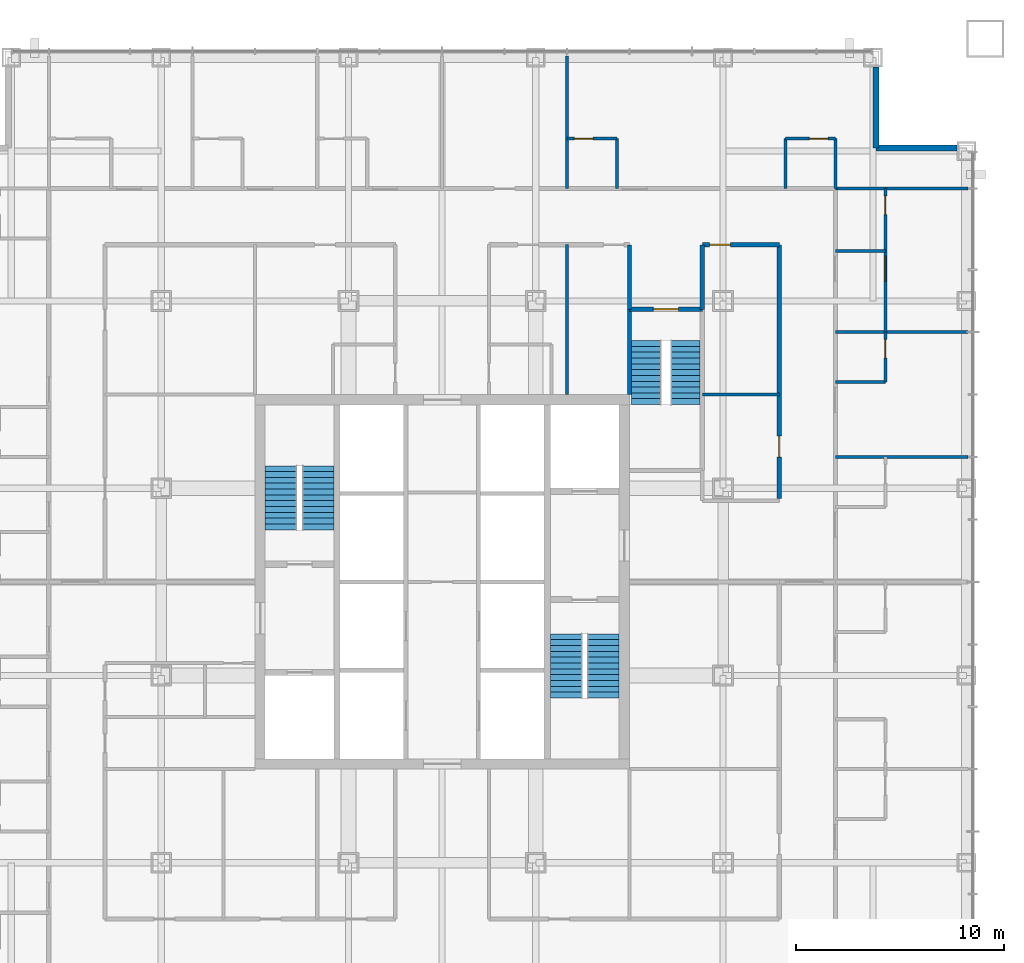
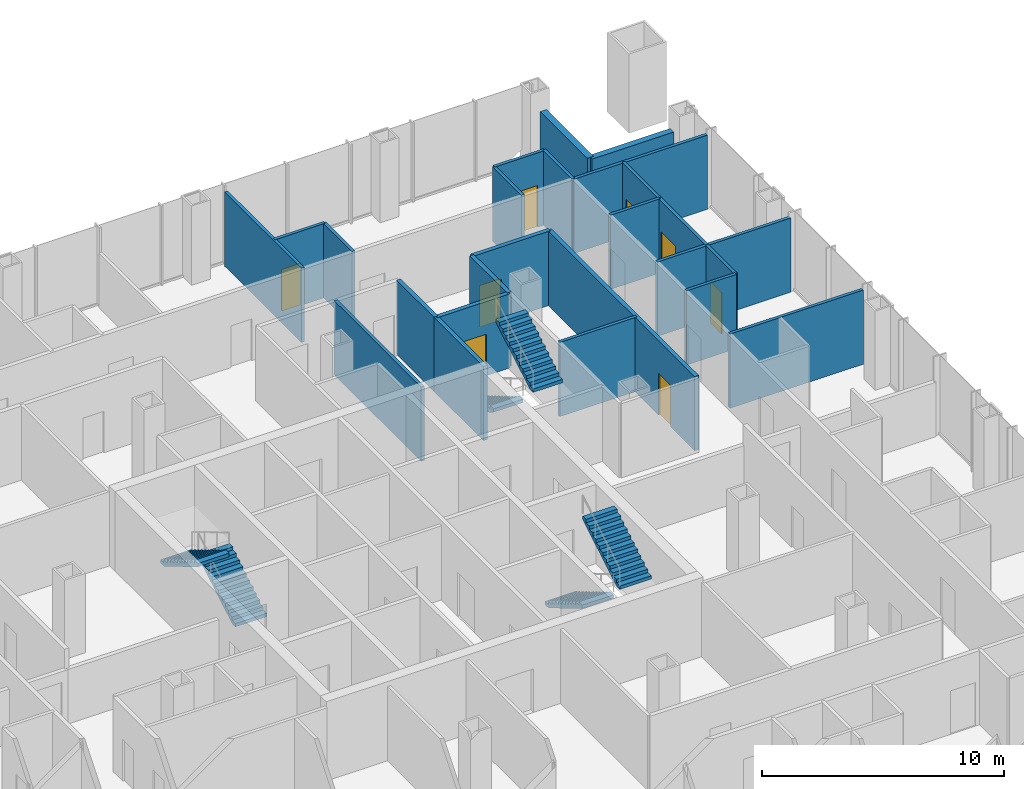
# One storey, part 11 of 12: 24 walls, 8 doors, 6 stair flights, 8 openings, 3 elements without a shape of their own.
"""IFC4 building model written with IfcOpenShell, lengths in metres."""

from ifc_helpers import new_model, si_unit, direction, frame, frame_2d, origin, place, context, subcontext, project, spatial, polyline, rectangle, outline, extrude, material, layer, layer_set, type_object, element, fill, aggregate, save


model = new_model("IFC4")

# Units and contexts
model_context = context("Model", 3, precision=1e-05, world=origin(), true_north=direction((0.0, 1.0)))
body_context = subcontext(model_context, "Body", "Model", "MODEL_VIEW")
ifc_project = project(units=[si_unit("LENGTHUNIT", "METRE"), si_unit("AREAUNIT", "SQUARE_METRE"), si_unit("VOLUMEUNIT", "CUBIC_METRE"), si_unit("PLANEANGLEUNIT", "RADIAN"), si_unit("MASSUNIT", "GRAM", prefix="KILO")], contexts=[model_context])

# Site, building, storey
site_placement = place(None, origin())
site = spatial("IfcSite", under=ifc_project, at=site_placement, CompositionType="ELEMENT")
building_placement = place(site_placement, origin())
building = spatial("IfcBuilding", under=site, at=building_placement, Name="Malebo Sky Hospital", CompositionType="ELEMENT")
storey_placement = place(building_placement, frame((0.0, 0.0, 59.0)))
storey = spatial("IfcBuildingStorey", under=building, at=storey_placement, Name="L13", CompositionType="ELEMENT", Elevation=59.0)

# Wall, opening, door
ifc_material_1 = material(Name="Gypsum board on steel studs", Category="steel")
ifc_layer_1 = layer(ifc_material_1, 0.199951171875)
ifc_layer_set_1 = layer_set([ifc_layer_1], Name="CORRIDOR WALL 200")
wall_type_1 = type_object("IfcWallType", Name="CORRIDOR WALL 200", PredefinedType="PARTITIONING", material=ifc_layer_set_1)
wall_1_placement = place(storey_placement, frame((72.5, 78.199951171875, 0.0), z_axis=(0.0, 0.0, 1.0), x_axis=(1.0, 0.0, 0.0)))
wall_1 = element("IfcWall", 1, at=wall_1_placement, inside=storey, type_object=wall_type_1, Name="Corridor Wall 200 NCI2/2", PredefinedType="PARTITIONING", context=body_context, shape_type="SweptSolid", body=[
    extrude(rectangle(XDim=3.699951171875, YDim=0.199951171875, at=frame_2d((1.85009765625, 0.0))), origin(), (0.0, 0.0, 1.0), 3.75),
])
opening_1_placement = place(wall_1_placement, frame((0.35009765625, 0.0, 0.0)))
opening_1 = element("IfcOpeningElement", 2, at=opening_1_placement, cuts=wall_1, Name="Opening D03", PredefinedType="OPENING", context=body_context, shape_type="SweptSolid", body=[
    extrude(rectangle(XDim=1.0, YDim=2.10009765625, at=frame_2d((0.5, 1.050048828125))), frame((0.0, 0.10986328125, 0.0), z_axis=(0.0, -1.0, 0.0), x_axis=(1.0, 0.0, 0.0)), (0.0, 0.0, 1.0), 0.219970703125),
])
ifc_material_2 = material(Name="Hardwood-faced door leaf in steel frame", Category="steel")
door_type_1 = type_object("IfcDoorType", Name="ROOM DOOR 1000", OperationType="SINGLE_SWING_LEFT", PredefinedType="DOOR", material=ifc_material_2)
door_1_placement = place(opening_1_placement, origin())
door_1 = element("IfcDoor", 3, at=door_1_placement, inside=storey, type_object=door_type_1, Name="Staff base door", OperationType="SINGLE_SWING_LEFT", OverallHeight=2.10009765625, OverallWidth=1.0, PredefinedType="DOOR", context=body_context, shape_type="SweptSolid", body=[
    extrude(rectangle(XDim=1.0, YDim=2.10009765625, at=frame_2d((0.5, 1.050048828125))), frame((0.0, 0.02490234375, 0.0), z_axis=(0.0, -1.0, 0.0), x_axis=(1.0, 0.0, 0.0)), (0.0, 0.0, 1.0), 0.050048828125),
])
fill(opening_1, door_1)

wall_2_placement = place(storey_placement, frame((76.199951171875, 78.199951171875, 0.0), z_axis=(0.0, 0.0, 1.0), x_axis=(0.0, -1.0, 0.0)))
wall_2 = element("IfcWall", 4, at=wall_2_placement, inside=storey, type_object=wall_type_1, Name="Corridor Wall 200 ECI1", PredefinedType="PARTITIONING", context=body_context, shape_type="SweptSolid", body=[
    extrude(rectangle(XDim=12.199951171875, YDim=0.199951171875, at=frame_2d((6.10009765625, 0.0))), origin(), (0.0, 0.0, 1.0), 3.75),
])
opening_2_placement = place(wall_2_placement, frame((9.199951171875, 0.0, 0.0)))
opening_2 = element("IfcOpeningElement", 5, at=opening_2_placement, cuts=wall_2, Name="Opening D03", PredefinedType="OPENING", context=body_context, shape_type="SweptSolid", body=[
    extrude(rectangle(XDim=1.0, YDim=2.10009765625, at=frame_2d((0.5, 1.050048828125))), frame((0.0, 0.10986328125, 0.0), z_axis=(0.0, -1.0, 0.0), x_axis=(1.0, 0.0, 0.0)), (0.0, 0.0, 1.0), 0.219970703125),
])
door_2_placement = place(opening_2_placement, origin())
door_2 = element("IfcDoor", 6, at=door_2_placement, inside=storey, type_object=door_type_1, Name="Discharge lounge door", OperationType="SINGLE_SWING_LEFT", OverallHeight=2.10009765625, OverallWidth=1.0, PredefinedType="DOOR", context=body_context, shape_type="SweptSolid", body=[
    extrude(rectangle(XDim=1.0, YDim=2.10009765625, at=frame_2d((0.5, 1.050048828125))), frame((0.0, 0.02490234375, 0.0), z_axis=(0.0, -1.0, 0.0), x_axis=(1.0, 0.0, 0.0)), (0.0, 0.0, 1.0), 0.050048828125),
])
fill(opening_2, door_2)

# Walls
for number, where, z_axis, x_axis, name in (
    (7, (69.0, 75.10009765625, 0.0), (0.0, 0.0, 1.0), (0.0, 1.0, 0.0), "Corridor Wall 200 ST3AW"),
    (8, (72.5, 75.10009765625, 0.0), (0.0, 0.0, 1.0), (0.0, 1.0, 0.0), "Corridor Wall 200 ST3AE"),
):
    element("IfcWall", number, at=place(storey_placement, frame(where, z_axis=z_axis, x_axis=x_axis)), inside=storey, type_object=wall_type_1, Name=name, PredefinedType="PARTITIONING", context=body_context, shape_type="SweptSolid", body=[
        extrude(rectangle(XDim=3.099853515625, YDim=0.199951171875, at=frame_2d((1.5498046875, 0.0))), origin(), (0.0, 0.0, 1.0), 3.75),
    ])
ifc_material_3 = material(Name="Anodised aluminium rainscreen on steel framing", Category="steel")
ifc_layer_2 = layer(ifc_material_3, 0.300048828125)
ifc_layer_set_2 = layer_set([ifc_layer_2], Name="NOTCH RAINSCREEN WALL 300")
wall_type_2 = type_object("IfcWallType", Name="NOTCH RAINSCREEN WALL 300", PredefinedType="ELEMENTEDWALL", material=ifc_layer_set_2)
for number, where, z_axis, x_axis, name in (
    (9, (80.85009765625, 86.75, 0.0), (0.0, 0.0, 1.0), (0.0, -1.0, 0.0), "Notch rainscreen wall N1 L13"),
    (10, (80.85009765625, 82.85009765625, 0.0), (0.0, 0.0, 1.0), (1.0, 0.0, 0.0), "Notch rainscreen wall N2 L13"),
):
    element("IfcWall", number, at=place(storey_placement, frame(where, z_axis=z_axis, x_axis=x_axis)), inside=storey, type_object=wall_type_2, Name=name, PredefinedType="ELEMENTEDWALL", context=body_context, shape_type="SweptSolid", body=[
        extrude(rectangle(XDim=3.89990234375, YDim=0.300048828125, at=frame_2d((1.949951171875, 0.0))), origin(), (0.0, 0.0, 1.0), 2.949951171875),
    ])
ifc_layer_3 = layer(ifc_material_1, 0.14990234375)
ifc_layer_set_3 = layer_set([ifc_layer_3], Name="PARTITION 150")
wall_type_3 = type_object("IfcWallType", Name="PARTITION 150", PredefinedType="PARTITIONING", material=ifc_layer_set_3)
wall_3_placement = place(storey_placement, frame((66.0, 80.89990234375, 0.0), z_axis=(0.0, 0.0, 1.0), x_axis=(0.0, 1.0, 0.0)))
element("IfcWall", 11, at=wall_3_placement, inside=storey, type_object=wall_type_3, Name="Partition 150 NP+6.0", PredefinedType="PARTITIONING", context=body_context, shape_type="SweptSolid", body=[
    extrude(rectangle(XDim=6.375, YDim=0.14990234375, at=frame_2d((3.1875, 0.0))), origin(), (0.0, 0.0, 1.0), 3.75),
])

# Wall, opening, door
wall_4_placement = place(storey_placement, frame((66.0, 83.300048828125, 0.0), z_axis=(0.0, 0.0, 1.0), x_axis=(1.0, 0.0, 0.0)))
wall_4 = element("IfcWall", 12, at=wall_4_placement, inside=storey, type_object=wall_type_3, Name="Partition 150 NE4F", PredefinedType="PARTITIONING", context=body_context, shape_type="SweptSolid", body=[
    extrude(rectangle(XDim=2.39990234375, YDim=0.14990234375, at=frame_2d((1.199951171875, 0.0))), origin(), (0.0, 0.0, 1.0), 3.75),
])
opening_3_placement = place(wall_4_placement, frame((0.35009765625, 0.0, 0.0)))
opening_3 = element("IfcOpeningElement", 13, at=opening_3_placement, cuts=wall_4, Name="Opening D02", PredefinedType="OPENING", context=body_context, shape_type="SweptSolid", body=[
    extrude(rectangle(XDim=0.89990234375, YDim=2.10009765625, at=frame_2d((0.449951171875, 1.050048828125))), frame((0.0, 0.0849609375, 0.0), z_axis=(0.0, -1.0, 0.0), x_axis=(1.0, 0.0, 0.0)), (0.0, 0.0, 1.0), 0.169921875),
])
door_type_2 = type_object("IfcDoorType", Name="EN-SUITE DOOR 900", OperationType="SINGLE_SWING_LEFT", PredefinedType="DOOR", material=ifc_material_2)
door_3_placement = place(opening_3_placement, origin())
door_3 = element("IfcDoor", 14, at=door_3_placement, inside=storey, type_object=door_type_2, Name="En-suite door", OperationType="SINGLE_SWING_LEFT", OverallHeight=2.10009765625, OverallWidth=0.89990234375, PredefinedType="DOOR", context=body_context, shape_type="SweptSolid", body=[
    extrude(rectangle(XDim=0.89990234375, YDim=2.10009765625, at=frame_2d((0.449951171875, 1.050048828125))), frame((0.0, 0.02490234375, 0.0), z_axis=(0.0, -1.0, 0.0), x_axis=(1.0, 0.0, 0.0)), (0.0, 0.0, 1.0), 0.050048828125),
])
fill(opening_3, door_3)

# Wall
wall_5_placement = place(storey_placement, frame((68.39990234375, 80.89990234375, 0.0), z_axis=(0.0, 0.0, 1.0), x_axis=(0.0, 1.0, 0.0)))
element("IfcWall", 15, at=wall_5_placement, inside=storey, type_object=wall_type_3, Name="Partition 150 NE4S", PredefinedType="PARTITIONING", context=body_context, shape_type="SweptSolid", body=[
    extrude(rectangle(XDim=2.400146484375, YDim=0.14990234375, at=frame_2d((1.2001953125, 0.0))), origin(), (0.0, 0.0, 1.0), 3.75),
])

# Wall, opening, door
wall_6_placement = place(storey_placement, frame((76.5, 83.300048828125, 0.0), z_axis=(0.0, 0.0, 1.0), x_axis=(1.0, 0.0, 0.0)))
wall_6 = element("IfcWall", 16, at=wall_6_placement, inside=storey, type_object=wall_type_3, Name="Partition 150 NG4F", PredefinedType="PARTITIONING", context=body_context, shape_type="SweptSolid", body=[
    extrude(rectangle(XDim=2.39990234375, YDim=0.14990234375, at=frame_2d((1.199951171875, 0.0))), origin(), (0.0, 0.0, 1.0), 3.75),
])
opening_4_placement = place(wall_6_placement, frame((1.14990234375, 0.0, 0.0)))
opening_4 = element("IfcOpeningElement", 17, at=opening_4_placement, cuts=wall_6, Name="Opening D02", PredefinedType="OPENING", context=body_context, shape_type="SweptSolid", body=[
    extrude(rectangle(XDim=0.89990234375, YDim=2.10009765625, at=frame_2d((0.449951171875, 1.050048828125))), frame((0.0, 0.0849609375, 0.0), z_axis=(0.0, -1.0, 0.0), x_axis=(1.0, 0.0, 0.0)), (0.0, 0.0, 1.0), 0.169921875),
])
door_4_placement = place(opening_4_placement, origin())
door_4 = element("IfcDoor", 18, at=door_4_placement, inside=storey, type_object=door_type_2, Name="En-suite door", OperationType="SINGLE_SWING_RIGHT", OverallHeight=2.10009765625, OverallWidth=0.89990234375, PredefinedType="DOOR", context=body_context, shape_type="SweptSolid", body=[
    extrude(rectangle(XDim=0.89990234375, YDim=2.10009765625, at=frame_2d((0.449951171875, 1.050048828125))), frame((0.0, 0.02490234375, 0.0), z_axis=(0.0, -1.0, 0.0), x_axis=(1.0, 0.0, 0.0)), (0.0, 0.0, 1.0), 0.050048828125),
])
fill(opening_4, door_4)

# Walls
for number, where, z_axis, x_axis, name in (
    (19, (76.5, 80.89990234375, 0.0), (0.0, 0.0, 1.0), (0.0, 1.0, 0.0), "Partition 150 NG4S"),
    (20, (78.89990234375, 80.89990234375, 0.0), (0.0, 0.0, 1.0), (0.0, 1.0, 0.0), "Partition 150 NEZ"),
):
    element("IfcWall", number, at=place(storey_placement, frame(where, z_axis=z_axis, x_axis=x_axis)), inside=storey, type_object=wall_type_3, Name=name, PredefinedType="PARTITIONING", context=body_context, shape_type="SweptSolid", body=[
        extrude(rectangle(XDim=2.400146484375, YDim=0.14990234375, at=frame_2d((1.2001953125, 0.0))), origin(), (0.0, 0.0, 1.0), 3.75),
    ])
wall_7_placement = place(storey_placement, frame((66.0, 71.0, 0.0), z_axis=(0.0, 0.0, 1.0), x_axis=(0.0, 1.0, 0.0)))
element("IfcWall", 21, at=wall_7_placement, inside=storey, type_object=wall_type_3, Name="Partition 150 NSP+6.0", PredefinedType="PARTITIONING", context=body_context, shape_type="SweptSolid", body=[
    extrude(rectangle(XDim=7.199951171875, YDim=0.14990234375, at=frame_2d((3.60009765625, 0.0))), origin(), (0.0, 0.0, 1.0), 3.75),
])
for number, where, z_axis, x_axis, name in (
    (22, (78.89990234375, 74.0, 0.0), (0.0, 0.0, 1.0), (1.0, 0.0, 0.0), "Partition 150 EP-12.0"),
    (23, (78.89990234375, 68.0, 0.0), (0.0, 0.0, 1.0), (1.0, 0.0, 0.0), "Partition 150 EP-6.0"),
    (24, (78.89990234375, 80.89990234375, 0.0), (0.0, 0.0, 1.0), (1.0, 0.0, 0.0), "Partition 150 EP0"),
):
    element("IfcWall", number, at=place(storey_placement, frame(where, z_axis=z_axis, x_axis=x_axis)), inside=storey, type_object=wall_type_3, Name=name, PredefinedType="PARTITIONING", context=body_context, shape_type="SweptSolid", body=[
        extrude(rectangle(XDim=6.375, YDim=0.14990234375, at=frame_2d((3.1875, 0.0))), origin(), (0.0, 0.0, 1.0), 3.75),
    ])

# Wall, opening, door
wall_8_placement = place(storey_placement, frame((81.300048828125, 80.89990234375, 0.0), z_axis=(0.0, 0.0, 1.0), x_axis=(0.0, -1.0, 0.0)))
wall_8 = element("IfcWall", 25, at=wall_8_placement, inside=storey, type_object=wall_type_3, Name="Partition 150 EE0F", PredefinedType="PARTITIONING", context=body_context, shape_type="SweptSolid", body=[
    extrude(rectangle(XDim=3.0, YDim=0.14990234375, at=frame_2d((1.5, 0.0))), origin(), (0.0, 0.0, 1.0), 3.75),
])
opening_5_placement = place(wall_8_placement, frame((0.35009765625, 0.0, 0.0)))
opening_5 = element("IfcOpeningElement", 26, at=opening_5_placement, cuts=wall_8, Name="Opening D02", PredefinedType="OPENING", context=body_context, shape_type="SweptSolid", body=[
    extrude(rectangle(XDim=0.89990234375, YDim=2.10009765625, at=frame_2d((0.449951171875, 1.050048828125))), frame((0.0, 0.0849609375, 0.0), z_axis=(0.0, -1.0, 0.0), x_axis=(1.0, 0.0, 0.0)), (0.0, 0.0, 1.0), 0.169921875),
])
door_5_placement = place(opening_5_placement, origin())
door_5 = element("IfcDoor", 27, at=door_5_placement, inside=storey, type_object=door_type_2, Name="En-suite door", OperationType="SINGLE_SWING_LEFT", OverallHeight=2.10009765625, OverallWidth=0.89990234375, PredefinedType="DOOR", context=body_context, shape_type="SweptSolid", body=[
    extrude(rectangle(XDim=0.89990234375, YDim=2.10009765625, at=frame_2d((0.449951171875, 1.050048828125))), frame((0.0, 0.02490234375, 0.0), z_axis=(0.0, -1.0, 0.0), x_axis=(1.0, 0.0, 0.0)), (0.0, 0.0, 1.0), 0.050048828125),
])
fill(opening_5, door_5)

# Wall
wall_9_placement = place(storey_placement, frame((78.89990234375, 77.89990234375, 0.0), z_axis=(0.0, 0.0, 1.0), x_axis=(1.0, 0.0, 0.0)))
element("IfcWall", 28, at=wall_9_placement, inside=storey, type_object=wall_type_3, Name="Partition 150 EE0S", PredefinedType="PARTITIONING", context=body_context, shape_type="SweptSolid", body=[
    extrude(rectangle(XDim=2.400146484375, YDim=0.14990234375, at=frame_2d((1.2001953125, 0.0))), origin(), (0.0, 0.0, 1.0), 3.75),
])

# Wall, opening, door
wall_10_placement = place(storey_placement, frame((81.300048828125, 74.0, 0.0), z_axis=(0.0, 0.0, 1.0), x_axis=(0.0, -1.0, 0.0)))
wall_10 = element("IfcWall", 29, at=wall_10_placement, inside=storey, type_object=wall_type_3, Name="Partition 150 EE1F", PredefinedType="PARTITIONING", context=body_context, shape_type="SweptSolid", body=[
    extrude(rectangle(XDim=2.39990234375, YDim=0.14990234375, at=frame_2d((1.199951171875, 0.0))), origin(), (0.0, 0.0, 1.0), 3.75),
])
opening_6_placement = place(wall_10_placement, frame((0.35009765625, 0.0, 0.0)))
opening_6 = element("IfcOpeningElement", 30, at=opening_6_placement, cuts=wall_10, Name="Opening D02", PredefinedType="OPENING", context=body_context, shape_type="SweptSolid", body=[
    extrude(rectangle(XDim=0.89990234375, YDim=2.10009765625, at=frame_2d((0.449951171875, 1.050048828125))), frame((0.0, 0.0849609375, 0.0), z_axis=(0.0, -1.0, 0.0), x_axis=(1.0, 0.0, 0.0)), (0.0, 0.0, 1.0), 0.169921875),
])
door_6_placement = place(opening_6_placement, origin())
door_6 = element("IfcDoor", 31, at=door_6_placement, inside=storey, type_object=door_type_2, Name="En-suite door", OperationType="SINGLE_SWING_LEFT", OverallHeight=2.10009765625, OverallWidth=0.89990234375, PredefinedType="DOOR", context=body_context, shape_type="SweptSolid", body=[
    extrude(rectangle(XDim=0.89990234375, YDim=2.10009765625, at=frame_2d((0.449951171875, 1.050048828125))), frame((0.0, 0.02490234375, 0.0), z_axis=(0.0, -1.0, 0.0), x_axis=(1.0, 0.0, 0.0)), (0.0, 0.0, 1.0), 0.050048828125),
])
fill(opening_6, door_6)

# Walls
wall_11_placement = place(storey_placement, frame((78.89990234375, 71.60009765625, 0.0), z_axis=(0.0, 0.0, 1.0), x_axis=(1.0, 0.0, 0.0)))
element("IfcWall", 32, at=wall_11_placement, inside=storey, type_object=wall_type_3, Name="Partition 150 EE1S", PredefinedType="PARTITIONING", context=body_context, shape_type="SweptSolid", body=[
    extrude(rectangle(XDim=2.400146484375, YDim=0.14990234375, at=frame_2d((1.2001953125, 0.0))), origin(), (0.0, 0.0, 1.0), 3.75),
])
wall_12_placement = place(storey_placement, frame((72.5, 71.0, 0.0), z_axis=(0.0, 0.0, 1.0), x_axis=(1.0, 0.0, 0.0)))
element("IfcWall", 33, at=wall_12_placement, inside=storey, type_object=wall_type_3, Name="Partition 150 ESP0", PredefinedType="PARTITIONING", context=body_context, shape_type="SweptSolid", body=[
    extrude(rectangle(XDim=3.699951171875, YDim=0.14990234375, at=frame_2d((1.85009765625, 0.0))), origin(), (0.0, 0.0, 1.0), 3.75),
])

# Wall, opening, door
ifc_material_4 = material(Name="Sealed gypsum board on steel studs, taped to the slab", Category="steel")
ifc_layer_4 = layer(ifc_material_4, 0.14990234375)
ifc_layer_set_4 = layer_set([ifc_layer_4], Name="SEALED ISOLATION PARTITION 150")
wall_type_4 = type_object("IfcWallType", Name="SEALED ISOLATION PARTITION 150", PredefinedType="PARTITIONING", material=ifc_layer_set_4)
wall_13_placement = place(storey_placement, frame((81.300048828125, 77.89990234375, 0.0), z_axis=(0.0, 0.0, 1.0), x_axis=(0.0, -1.0, 0.0)))
wall_13 = element("IfcWall", 34, at=wall_13_placement, inside=storey, type_object=wall_type_4, Name="Sealed Isolation Partition 150 EA0F", PredefinedType="PARTITIONING", context=body_context, shape_type="SweptSolid", body=[
    extrude(rectangle(XDim=3.89990234375, YDim=0.14990234375, at=frame_2d((1.949951171875, 0.0))), origin(), (0.0, 0.0, 1.0), 3.75),
])
opening_7_placement = place(wall_13_placement, frame((0.25, 0.0, 0.0)))
opening_7 = element("IfcOpeningElement", 35, at=opening_7_placement, cuts=wall_13, Name="Opening D19", PredefinedType="OPENING", context=body_context, shape_type="SweptSolid", body=[
    extrude(rectangle(XDim=1.199951171875, YDim=2.199951171875, at=frame_2d((0.60009765625, 1.10009765625))), frame((0.0, 0.0849609375, 0.0), z_axis=(0.0, -1.0, 0.0), x_axis=(1.0, 0.0, 0.0)), (0.0, 0.0, 1.0), 0.169921875),
])
ifc_material_5 = material(Name="Hardwood-faced door leaf with perimeter seals in steel frame", Category="steel")
door_type_3 = type_object("IfcDoorType", Name="SEALED ISOLATION ROOM DOOR 1200", OperationType="SINGLE_SWING_LEFT", PredefinedType="DOOR", material=ifc_material_5)
door_7_placement = place(opening_7_placement, origin())
door_7 = element("IfcDoor", 36, at=door_7_placement, inside=storey, type_object=door_type_3, Name="Isolation room door", OperationType="SINGLE_SWING_LEFT", OverallHeight=2.199951171875, OverallWidth=1.199951171875, PredefinedType="DOOR", context=body_context, shape_type="SweptSolid", body=[
    extrude(rectangle(XDim=1.199951171875, YDim=2.199951171875, at=frame_2d((0.60009765625, 1.10009765625))), frame((0.0, 0.02490234375, 0.0), z_axis=(0.0, -1.0, 0.0), x_axis=(1.0, 0.0, 0.0)), (0.0, 0.0, 1.0), 0.050048828125),
])
fill(opening_7, door_7)

# Wall
ifc_material_6 = material(Name="Concrete C40/50", Category="concrete")
ifc_layer_5 = layer(ifc_material_6, 0.199951171875)
ifc_layer_set_5 = layer_set([ifc_layer_5], Name="STAIR ENCLOSURE WALL 200")
wall_type_5 = type_object("IfcWallType", Name="STAIR ENCLOSURE WALL 200", PredefinedType="SOLIDWALL", material=ifc_layer_set_5)
wall_14_placement = place(storey_placement, frame((69.0, 71.0, 0.0), z_axis=(0.0, 0.0, 1.0), x_axis=(0.0, 1.0, 0.0)))
element("IfcWall", 37, at=wall_14_placement, inside=storey, type_object=wall_type_5, Name="Stair Enclosure Wall 200 ST3W", PredefinedType="SOLIDWALL", context=body_context, shape_type="SweptSolid", body=[
    extrude(rectangle(XDim=4.10009765625, YDim=0.199951171875, at=frame_2d((2.050048828125, 0.0))), origin(), (0.0, 0.0, 1.0), 3.75),
])

# Wall, opening, door
wall_15_placement = place(storey_placement, frame((69.0, 75.10009765625, 0.0), z_axis=(0.0, 0.0, 1.0), x_axis=(1.0, 0.0, 0.0)))
wall_15 = element("IfcWall", 38, at=wall_15_placement, inside=storey, type_object=wall_type_5, Name="Stair Enclosure Wall 200 ST3N", PredefinedType="SOLIDWALL", context=body_context, shape_type="SweptSolid", body=[
    extrude(rectangle(XDim=3.5, YDim=0.199951171875, at=frame_2d((1.75, 0.0))), origin(), (0.0, 0.0, 1.0), 3.75),
])
opening_8_placement = place(wall_15_placement, frame((1.14990234375, 0.0, 0.0)))
opening_8 = element("IfcOpeningElement", 39, at=opening_8_placement, cuts=wall_15, Name="Opening D08", PredefinedType="OPENING", context=body_context, shape_type="SweptSolid", body=[
    extrude(rectangle(XDim=1.199951171875, YDim=2.10009765625, at=frame_2d((0.60009765625, 1.050048828125))), frame((0.0, 0.10986328125, 0.0), z_axis=(0.0, -1.0, 0.0), x_axis=(1.0, 0.0, 0.0)), (0.0, 0.0, 1.0), 0.219970703125),
])
door_type_4 = type_object("IfcDoorType", Name="STAIR DOOR 1200", OperationType="SINGLE_SWING_LEFT", PredefinedType="DOOR", material=ifc_material_2)
door_8_placement = place(opening_8_placement, origin())
door_8 = element("IfcDoor", 40, at=door_8_placement, inside=storey, type_object=door_type_4, Name="Stair S3 door", OperationType="SINGLE_SWING_LEFT", OverallHeight=2.10009765625, OverallWidth=1.199951171875, PredefinedType="DOOR", context=body_context, shape_type="SweptSolid", body=[
    extrude(rectangle(XDim=1.199951171875, YDim=2.10009765625, at=frame_2d((0.60009765625, 1.050048828125))), frame((0.0, 0.02490234375, 0.0), z_axis=(0.0, -1.0, 0.0), x_axis=(1.0, 0.0, 0.0)), (0.0, 0.0, 1.0), 0.050048828125),
])
fill(opening_8, door_8)

# Stair, stair flights
stair_type_1 = type_object("IfcStairType", Name="HALF-TURN STAIR 1400 R167", PredefinedType="HALF_TURN_STAIR", material=ifc_material_6)
stair_1_placement = place(storey_placement, origin())
stair_1 = element("IfcStair", 41, at=stair_1_placement, inside=storey, type_object=stair_type_1, Name="Stair S3 L13 type ST1B", PredefinedType="HALF_TURN_STAIR")
stair_flight_type_1 = type_object("IfcStairFlightType", Name="STAIR FLIGHT 1400 R167", PredefinedType="STRAIGHT", material=ifc_material_6)
stair_flight_1_placement = place(storey_placement, frame((69.800048828125, 73.60009765625, 0.0), z_axis=(0.0, 0.0, 1.0), x_axis=(0.0, -1.0, 0.0)))
stair_flight_1 = element("IfcStairFlight", 42, at=stair_flight_1_placement, type_object=stair_flight_type_1, Name="S3 flight 1 type SF1B", NumberOfRisers=12, NumberOfTreads=11, PredefinedType="STRAIGHT", RiserHeight=0.166666667, TreadLength=0.28, context=body_context, shape_type="SweptSolid", body=[
    extrude(outline(polyline([(0.0, 0.0), (0.0, 0.166748046875), (0.280029296875, 0.166748046875), (0.280029296875, 0.333251953125), (0.56005859375, 0.333251953125), (0.56005859375, 0.5), (0.840087890625, 0.5), (0.840087890625, 0.666748046875), (1.1201171875, 0.666748046875), (1.1201171875, 0.833251953125), (1.39990234375, 0.833251953125), (1.39990234375, 1.0), (1.679931640625, 1.0), (1.679931640625, 1.166748046875), (1.9599609375, 1.166748046875), (1.9599609375, 1.333251953125), (2.239990234375, 1.333251953125), (2.239990234375, 1.5), (2.52001953125, 1.5), (2.52001953125, 1.666748046875), (2.800048828125, 1.666748046875), (2.800048828125, 1.833251953125), (3.080078125, 1.833251953125), (3.080078125, 2.0), (3.080078125, 1.658935546875), (0.29296875, 0.0), (0.0, 0.0)])), frame((0.0, 0.699951171875, 0.0), z_axis=(0.0, -1.0, 0.0), x_axis=(1.0, 0.0, 0.0)), (0.0, 0.0, 1.0), 1.39990234375),
])
stair_flight_2_placement = place(storey_placement, frame((71.699951171875, 70.52001953125, 2.0), z_axis=(0.0, 0.0, 1.0), x_axis=(0.0, 1.0, 0.0)))
stair_flight_2 = element("IfcStairFlight", 43, at=stair_flight_2_placement, type_object=stair_flight_type_1, Name="S3 flight 2 type SF1B", NumberOfRisers=12, NumberOfTreads=11, PredefinedType="STRAIGHT", RiserHeight=0.166666667, TreadLength=0.28, context=body_context, shape_type="SweptSolid", body=[
    extrude(outline(polyline([(0.0, 0.0), (0.0, 0.166748046875), (0.280029296875, 0.166748046875), (0.280029296875, 0.333251953125), (0.56005859375, 0.333251953125), (0.56005859375, 0.5), (0.840087890625, 0.5), (0.840087890625, 0.666748046875), (1.1201171875, 0.666748046875), (1.1201171875, 0.833251953125), (1.39990234375, 0.833251953125), (1.39990234375, 1.0), (1.679931640625, 1.0), (1.679931640625, 1.166748046875), (1.9599609375, 1.166748046875), (1.9599609375, 1.333251953125), (2.239990234375, 1.333251953125), (2.239990234375, 1.5), (2.52001953125, 1.5), (2.52001953125, 1.666748046875), (2.800048828125, 1.666748046875), (2.800048828125, 1.833251953125), (3.080078125, 1.833251953125), (3.080078125, 2.0), (3.080078125, 1.658935546875), (0.29296875, 0.0), (0.0, 0.0)])), frame((0.0, 0.699951171875, 0.0), z_axis=(0.0, -1.0, 0.0), x_axis=(1.0, 0.0, 0.0)), (0.0, 0.0, 1.0), 1.39990234375),
])
aggregate(stair_1, [stair_flight_1, stair_flight_2])

stair_type_2 = type_object("IfcStairType", Name="HALF-TURN STAIR 1500 R167", PredefinedType="HALF_TURN_STAIR", material=ifc_material_6)
stair_2_placement = place(storey_placement, origin())
stair_2 = element("IfcStair", 44, at=stair_2_placement, inside=storey, type_object=stair_type_2, Name="Stair S1 L13 type ST1", PredefinedType="HALF_TURN_STAIR")
stair_flight_type_2 = type_object("IfcStairFlightType", Name="STAIR FLIGHT 1500 R167", PredefinedType="STRAIGHT", material=ifc_material_6)
stair_flight_3_placement = place(storey_placement, frame((54.050048828125, 64.5, 0.0), z_axis=(0.0, 0.0, 1.0), x_axis=(0.0, 1.0, 0.0)))
stair_flight_3 = element("IfcStairFlight", 45, at=stair_flight_3_placement, type_object=stair_flight_type_2, Name="S1 flight 1 type SF1", NumberOfRisers=12, NumberOfTreads=11, PredefinedType="STRAIGHT", RiserHeight=0.166666667, TreadLength=0.28, context=body_context, shape_type="SweptSolid", body=[
    extrude(outline(polyline([(0.0, 0.0), (0.0, 0.166748046875), (0.280029296875, 0.166748046875), (0.280029296875, 0.333251953125), (0.56005859375, 0.333251953125), (0.56005859375, 0.5), (0.840087890625, 0.5), (0.840087890625, 0.666748046875), (1.1201171875, 0.666748046875), (1.1201171875, 0.833251953125), (1.39990234375, 0.833251953125), (1.39990234375, 1.0), (1.679931640625, 1.0), (1.679931640625, 1.166748046875), (1.9599609375, 1.166748046875), (1.9599609375, 1.333251953125), (2.239990234375, 1.333251953125), (2.239990234375, 1.5), (2.52001953125, 1.5), (2.52001953125, 1.666748046875), (2.800048828125, 1.666748046875), (2.800048828125, 1.833251953125), (3.080078125, 1.833251953125), (3.080078125, 2.0), (3.080078125, 1.658935546875), (0.29296875, 0.0), (0.0, 0.0)])), frame((0.0, 0.75, 0.0), z_axis=(0.0, -1.0, 0.0), x_axis=(1.0, 0.0, 0.0)), (0.0, 0.0, 1.0), 1.5),
])
stair_flight_4_placement = place(storey_placement, frame((52.25, 67.580078125, 2.0), z_axis=(0.0, 0.0, 1.0), x_axis=(0.0, -1.0, 0.0)))
stair_flight_4 = element("IfcStairFlight", 46, at=stair_flight_4_placement, type_object=stair_flight_type_2, Name="S1 flight 2 type SF1", NumberOfRisers=12, NumberOfTreads=11, PredefinedType="STRAIGHT", RiserHeight=0.166666667, TreadLength=0.28, context=body_context, shape_type="SweptSolid", body=[
    extrude(outline(polyline([(0.0, 0.0), (0.0, 0.166748046875), (0.280029296875, 0.166748046875), (0.280029296875, 0.333251953125), (0.56005859375, 0.333251953125), (0.56005859375, 0.5), (0.840087890625, 0.5), (0.840087890625, 0.666748046875), (1.1201171875, 0.666748046875), (1.1201171875, 0.833251953125), (1.39990234375, 0.833251953125), (1.39990234375, 1.0), (1.679931640625, 1.0), (1.679931640625, 1.166748046875), (1.9599609375, 1.166748046875), (1.9599609375, 1.333251953125), (2.239990234375, 1.333251953125), (2.239990234375, 1.5), (2.52001953125, 1.5), (2.52001953125, 1.666748046875), (2.800048828125, 1.666748046875), (2.800048828125, 1.833251953125), (3.080078125, 1.833251953125), (3.080078125, 2.0), (3.080078125, 1.658935546875), (0.29296875, 0.0), (0.0, 0.0)])), frame((0.0, 0.75, 0.0), z_axis=(0.0, -1.0, 0.0), x_axis=(1.0, 0.0, 0.0)), (0.0, 0.0, 1.0), 1.5),
])
aggregate(stair_2, [stair_flight_3, stair_flight_4])

stair_3_placement = place(storey_placement, origin())
stair_3 = element("IfcStair", 47, at=stair_3_placement, inside=storey, type_object=stair_type_2, Name="Stair S2 L13 type ST1", PredefinedType="HALF_TURN_STAIR")
stair_flight_5_placement = place(storey_placement, frame((65.949951171875, 59.5, 0.0), z_axis=(0.0, 0.0, 1.0), x_axis=(0.0, -1.0, 0.0)))
stair_flight_5 = element("IfcStairFlight", 48, at=stair_flight_5_placement, type_object=stair_flight_type_2, Name="S2 flight 1 type SF1", NumberOfRisers=12, NumberOfTreads=11, PredefinedType="STRAIGHT", RiserHeight=0.166666667, TreadLength=0.28, context=body_context, shape_type="SweptSolid", body=[
    extrude(outline(polyline([(0.0, 0.0), (0.0, 0.166748046875), (0.280029296875, 0.166748046875), (0.280029296875, 0.333251953125), (0.56005859375, 0.333251953125), (0.56005859375, 0.5), (0.840087890625, 0.5), (0.840087890625, 0.666748046875), (1.1201171875, 0.666748046875), (1.1201171875, 0.833251953125), (1.39990234375, 0.833251953125), (1.39990234375, 1.0), (1.679931640625, 1.0), (1.679931640625, 1.166748046875), (1.9599609375, 1.166748046875), (1.9599609375, 1.333251953125), (2.239990234375, 1.333251953125), (2.239990234375, 1.5), (2.52001953125, 1.5), (2.52001953125, 1.666748046875), (2.800048828125, 1.666748046875), (2.800048828125, 1.833251953125), (3.080078125, 1.833251953125), (3.080078125, 2.0), (3.080078125, 1.658935546875), (0.29296875, 0.0), (0.0, 0.0)])), frame((0.0, 0.75, 0.0), z_axis=(0.0, -1.0, 0.0), x_axis=(1.0, 0.0, 0.0)), (0.0, 0.0, 1.0), 1.5),
])
stair_flight_6_placement = place(storey_placement, frame((67.75, 56.419921875, 2.0), z_axis=(0.0, 0.0, 1.0), x_axis=(0.0, 1.0, 0.0)))
stair_flight_6 = element("IfcStairFlight", 49, at=stair_flight_6_placement, type_object=stair_flight_type_2, Name="S2 flight 2 type SF1", NumberOfRisers=12, NumberOfTreads=11, PredefinedType="STRAIGHT", RiserHeight=0.166666667, TreadLength=0.28, context=body_context, shape_type="SweptSolid", body=[
    extrude(outline(polyline([(0.0, 0.0), (0.0, 0.166748046875), (0.280029296875, 0.166748046875), (0.280029296875, 0.333251953125), (0.56005859375, 0.333251953125), (0.56005859375, 0.5), (0.840087890625, 0.5), (0.840087890625, 0.666748046875), (1.1201171875, 0.666748046875), (1.1201171875, 0.833251953125), (1.39990234375, 0.833251953125), (1.39990234375, 1.0), (1.679931640625, 1.0), (1.679931640625, 1.166748046875), (1.9599609375, 1.166748046875), (1.9599609375, 1.333251953125), (2.239990234375, 1.333251953125), (2.239990234375, 1.5), (2.52001953125, 1.5), (2.52001953125, 1.666748046875), (2.800048828125, 1.666748046875), (2.800048828125, 1.833251953125), (3.080078125, 1.833251953125), (3.080078125, 2.0), (3.080078125, 1.658935546875), (0.29296875, 0.0), (0.0, 0.0)])), frame((0.0, 0.75, 0.0), z_axis=(0.0, -1.0, 0.0), x_axis=(1.0, 0.0, 0.0)), (0.0, 0.0, 1.0), 1.5),
])
aggregate(stair_3, [stair_flight_5, stair_flight_6])

save(model, "model.ifc")
